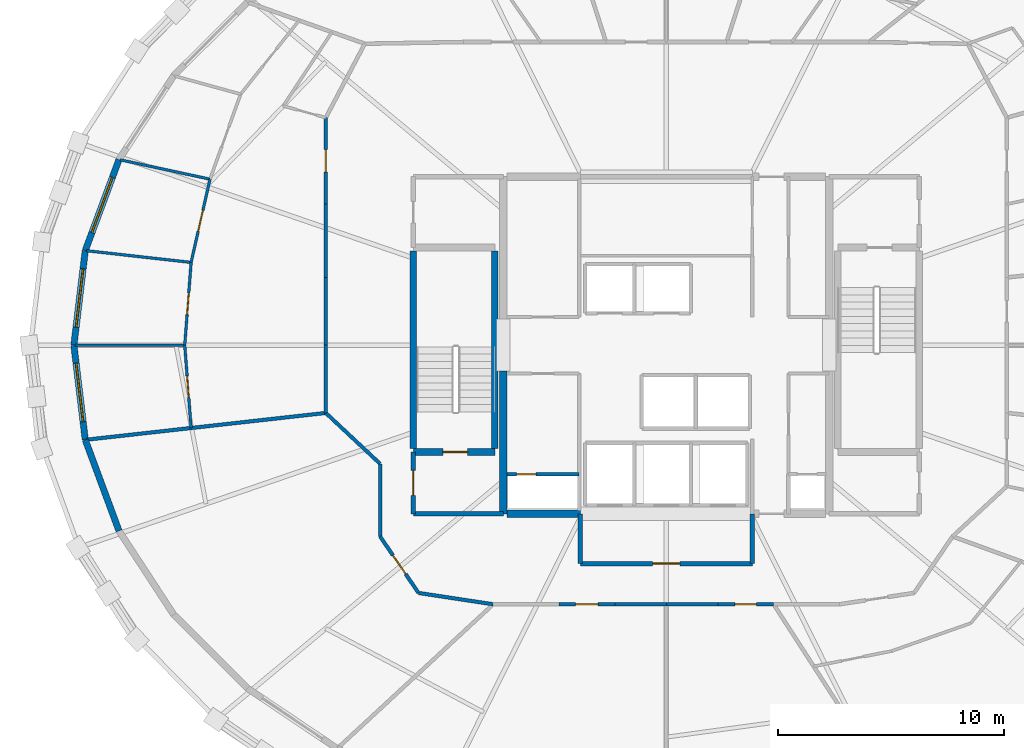
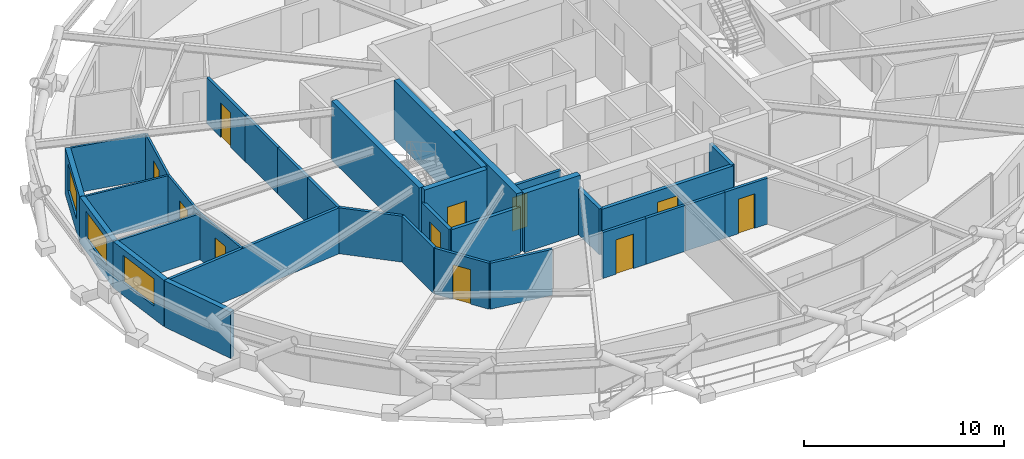
# One storey, part 14 of 19: 34 walls, 11 doors, 3 windows, 14 openings.
"""IFC4 building model written with IfcOpenShell, lengths in metres."""

from ifc_helpers import new_model, si_unit, direction, frame, frame_2d, origin, place, context, subcontext, project, spatial, rectangle, extrude, material, layer, layer_set, type_object, element, fill, save


model = new_model("IFC4")

# Units and contexts
model_context = context("Model", 3, precision=1e-05, world=origin(), true_north=direction((0.0, 1.0)))
body_context = subcontext(model_context, "Body", "Model", "MODEL_VIEW")
ifc_project = project(units=[si_unit("LENGTHUNIT", "METRE"), si_unit("AREAUNIT", "SQUARE_METRE"), si_unit("VOLUMEUNIT", "CUBIC_METRE"), si_unit("PLANEANGLEUNIT", "RADIAN"), si_unit("MASSUNIT", "GRAM", prefix="KILO")], contexts=[model_context])

# Site, building, storey
site_placement = place(None, origin())
site = spatial("IfcSite", under=ifc_project, at=site_placement, CompositionType="ELEMENT")
building_placement = place(site_placement, origin())
building = spatial("IfcBuilding", under=site, at=building_placement, Name="Veldorina Hangang Commons", CompositionType="ELEMENT")
storey_placement = place(building_placement, frame((0.0, 0.0, 164.0)))
storey = spatial("IfcBuildingStorey", under=building, at=storey_placement, Name="L42", CompositionType="ELEMENT", Elevation=164.0)

# Walls
ifc_material_1 = material(Name="Concrete C60/75", Category="concrete")
ifc_layer_1 = layer(ifc_material_1, 0.340087890625)
ifc_layer_set_1 = layer_set([ifc_layer_1], Name="Concrete C60/75")
wall_type_1 = type_object("IfcWallType", Name="CW-RC340-C60", PredefinedType="SHEAR", material=ifc_layer_set_1)
wall_1_placement = place(storey_placement, frame((24.800048828125, 16.550048828125, 0.0), z_axis=(0.0, 0.0, 1.0), x_axis=(0.0, 1.0, 0.0)))
element("IfcWall", 1, at=wall_1_placement, inside=storey, type_object=wall_type_1, Name="L42 W south core shear wall", PredefinedType="SHEAR", context=body_context, shape_type="SweptSolid", body=[
    extrude(rectangle(XDim=6.300048828125, YDim=0.340087890625, at=frame_2d((3.14990234375, 0.0))), origin(), (0.0, 0.0, 1.0), 3.60009765625),
])
wall_2_placement = place(storey_placement, frame((24.969970703125, 16.550048828125, 0.0), z_axis=(0.0, 0.0, 1.0), x_axis=(1.0, 0.0, 0.0)))
element("IfcWall", 2, at=wall_2_placement, inside=storey, type_object=wall_type_1, Name="L42 south-west core shear wall", PredefinedType="SHEAR", context=body_context, shape_type="SweptSolid", body=[
    extrude(rectangle(XDim=3.22998046875, YDim=0.340087890625, at=frame_2d((1.614990234375, 0.0))), origin(), (0.0, 0.0, 1.0), 3.60009765625),
])

# Wall, opening, window
ifc_material_2 = material(Name="Stone Roman Travertine", Category="masonry")
ifc_layer_2 = layer(ifc_material_2, 0.280029296875)
ifc_layer_set_2 = layer_set([ifc_layer_2], Name="Stone Roman Travertine")
wall_type_2 = type_object("IfcWallType", Name="EW-TRAV-280", PredefinedType="STANDARD", material=ifc_layer_set_2)
wall_3_placement = place(storey_placement, frame((7.810791015625, 32.20458984375, 0.0), z_axis=(0.0, 0.0, 1.0), x_axis=(-0.347390364115, -0.937720606002, 0.0)))
wall_3 = element("IfcWall", 3, at=wall_3_placement, inside=storey, type_object=wall_type_2, Name="L42 travertine facade wall 14", PredefinedType="STANDARD", context=body_context, shape_type="SweptSolid", body=[
    extrude(rectangle(XDim=4.2890625, YDim=0.280029296875, at=frame_2d((2.14453125, 0.0))), origin(), (0.0, 0.0, 1.0), 2.820068359375),
])
opening_1_placement = place(wall_3_placement, frame((0.844482421875, 0.0, 0.800048828125)))
opening_1 = element("IfcOpeningElement", 4, at=opening_1_placement, cuts=wall_3, Name="Opening W-02", PredefinedType="OPENING", context=body_context, shape_type="SweptSolid", body=[
    extrude(rectangle(XDim=2.60009765625, YDim=1.64990234375, at=frame_2d((1.300048828125, 0.824951171875))), frame((0.0, 0.14990234375, 0.0), z_axis=(0.0, -1.0, 0.0), x_axis=(1.0, 0.0, 0.0)), (0.0, 0.0, 1.0), 0.300048828125),
])
ifc_material_3 = material(Name="Glass Low-E Triple IGU", Category="glass")
window_type = type_object("IfcWindowType", Name="WIN-TWR-2600", PartitioningType="SINGLE_PANEL", PredefinedType="WINDOW", material=ifc_material_3)
window_1_placement = place(opening_1_placement, origin())
window_1 = element("IfcWindow", 5, at=window_1_placement, inside=storey, type_object=window_type, Name="L42 facade window 14", OverallHeight=1.64990234375, OverallWidth=2.60009765625, PartitioningType="SINGLE_PANEL", PredefinedType="WINDOW", context=body_context, shape_type="SweptSolid", body=[
    extrude(rectangle(XDim=2.60009765625, YDim=1.64990234375, at=frame_2d((1.300048828125, 0.824951171875))), frame((0.0, 0.030029296875, 0.0), z_axis=(0.0, -1.0, 0.0), x_axis=(1.0, 0.0, 0.0)), (0.0, 0.0, 1.0), 0.06005859375),
])
fill(opening_1, window_1)

wall_4_placement = place(storey_placement, frame((6.32080078125, 28.1826171875, 0.0), z_axis=(0.0, 0.0, 1.0), x_axis=(-0.119382878751, -0.992848290657, 0.0)))
wall_4 = element("IfcWall", 6, at=wall_4_placement, inside=storey, type_object=wall_type_2, Name="L42 travertine facade wall 15", PredefinedType="STANDARD", context=body_context, shape_type="SweptSolid", body=[
    extrude(rectangle(XDim=4.212646484375, YDim=0.280029296875, at=frame_2d((2.1064453125, 0.0))), origin(), (0.0, 0.0, 1.0), 2.820068359375),
])
opening_2_placement = place(wall_4_placement, frame((0.806396484375, 0.0, 0.800048828125)))
opening_2 = element("IfcOpeningElement", 7, at=opening_2_placement, cuts=wall_4, Name="Opening W-02", PredefinedType="OPENING", context=body_context, shape_type="SweptSolid", body=[
    extrude(rectangle(XDim=2.60009765625, YDim=1.64990234375, at=frame_2d((1.300048828125, 0.824951171875))), frame((0.0, 0.14990234375, 0.0), z_axis=(0.0, -1.0, 0.0), x_axis=(1.0, 0.0, 0.0)), (0.0, 0.0, 1.0), 0.300048828125),
])
window_2_placement = place(opening_2_placement, origin())
window_2 = element("IfcWindow", 8, at=window_2_placement, inside=storey, type_object=window_type, Name="L42 facade window 15", OverallHeight=1.64990234375, OverallWidth=2.60009765625, PartitioningType="SINGLE_PANEL", PredefinedType="WINDOW", context=body_context, shape_type="SweptSolid", body=[
    extrude(rectangle(XDim=2.60009765625, YDim=1.64990234375, at=frame_2d((1.300048828125, 0.824951171875))), frame((0.0, 0.030029296875, 0.0), z_axis=(0.0, -1.0, 0.0), x_axis=(1.0, 0.0, 0.0)), (0.0, 0.0, 1.0), 0.06005859375),
])
fill(opening_2, window_2)

wall_5_placement = place(storey_placement, frame((5.81787109375, 24.0, 0.0), z_axis=(0.0, 0.0, 1.0), x_axis=(0.119382878751, -0.992848290657, 0.0)))
wall_5 = element("IfcWall", 9, at=wall_5_placement, inside=storey, type_object=wall_type_2, Name="L42 travertine facade wall 16", PredefinedType="STANDARD", context=body_context, shape_type="SweptSolid", body=[
    extrude(rectangle(XDim=4.212646484375, YDim=0.280029296875, at=frame_2d((2.1064453125, 0.0))), origin(), (0.0, 0.0, 1.0), 2.820068359375),
])
opening_3_placement = place(wall_5_placement, frame((0.806396484375, 0.0, 0.800048828125)))
opening_3 = element("IfcOpeningElement", 10, at=opening_3_placement, cuts=wall_5, Name="Opening W-02", PredefinedType="OPENING", context=body_context, shape_type="SweptSolid", body=[
    extrude(rectangle(XDim=2.60009765625, YDim=1.64990234375, at=frame_2d((1.300048828125, 0.824951171875))), frame((0.0, 0.14990234375, 0.0), z_axis=(0.0, -1.0, 0.0), x_axis=(1.0, 0.0, 0.0)), (0.0, 0.0, 1.0), 0.300048828125),
])
window_3_placement = place(opening_3_placement, origin())
window_3 = element("IfcWindow", 11, at=window_3_placement, inside=storey, type_object=window_type, Name="L42 facade window 16", OverallHeight=1.64990234375, OverallWidth=2.60009765625, PartitioningType="SINGLE_PANEL", PredefinedType="WINDOW", context=body_context, shape_type="SweptSolid", body=[
    extrude(rectangle(XDim=2.60009765625, YDim=1.64990234375, at=frame_2d((1.300048828125, 0.824951171875))), frame((0.0, 0.030029296875, 0.0), z_axis=(0.0, -1.0, 0.0), x_axis=(1.0, 0.0, 0.0)), (0.0, 0.0, 1.0), 0.06005859375),
])
fill(opening_3, window_3)

# Walls
wall_6_placement = place(storey_placement, frame((6.32080078125, 19.8173828125, 0.0), z_axis=(0.0, 0.0, 1.0), x_axis=(0.347390364115, -0.937720606002, 0.0)))
element("IfcWall", 12, at=wall_6_placement, inside=storey, type_object=wall_type_2, Name="L42 travertine facade wall 17", PredefinedType="STANDARD", context=body_context, shape_type="SweptSolid", body=[
    extrude(rectangle(XDim=4.2890625, YDim=0.280029296875, at=frame_2d((2.14453125, 0.0))), origin(), (0.0, 0.0, 1.0), 2.820068359375),
])
ifc_material_4 = material(Name="Concrete C50/60", Category="concrete")
ifc_layer_3 = layer(ifc_material_4, 0.300048828125)
ifc_layer_set_3 = layer_set([ifc_layer_3], Name="Concrete C50/60")
wall_type_3 = type_object("IfcWallType", Name="SW-STAIR-300", PredefinedType="SHEAR", material=ifc_layer_set_3)
for number, where, z_axis, x_axis, name in (
    (13, (20.820068359375, 19.429931640625, 0.0), (0.0, 0.0, 1.0), (0.0, 1.0, 0.0), "L42 ST1 outer stair shear wall"),
    (14, (24.419921875, 19.429931640625, 0.0), (0.0, 0.0, 1.0), (0.0, 1.0, 0.0), "L42 ST1 inner stair shear wall"),
):
    element("IfcWall", number, at=place(storey_placement, frame(where, z_axis=z_axis, x_axis=x_axis)), inside=storey, type_object=wall_type_3, Name=name, PredefinedType="SHEAR", context=body_context, shape_type="SweptSolid", body=[
        extrude(rectangle(XDim=8.739990234375, YDim=0.300048828125, at=frame_2d((4.3701171875, 0.0))), origin(), (0.0, 0.0, 1.0), 3.60009765625),
    ])

# Wall, opening, door
wall_7_placement = place(storey_placement, frame((20.820068359375, 19.280029296875, 0.0), z_axis=(0.0, 0.0, 1.0), x_axis=(1.0, 0.0, 0.0)))
wall_7 = element("IfcWall", 15, at=wall_7_placement, inside=storey, type_object=wall_type_3, Name="L42 ST1 south stair shear wall", PredefinedType="SHEAR", context=body_context, shape_type="SweptSolid", body=[
    extrude(rectangle(XDim=3.599853515625, YDim=0.300048828125, at=frame_2d((1.7998046875, 0.0))), origin(), (0.0, 0.0, 1.0), 3.60009765625),
])
opening_4_placement = place(wall_7_placement, frame((1.300048828125, 0.0, 0.0)))
opening_4 = element("IfcOpeningElement", 16, at=opening_4_placement, cuts=wall_7, Name="Opening D-08", PredefinedType="OPENING", context=body_context, shape_type="SweptSolid", body=[
    extrude(rectangle(XDim=1.10009765625, YDim=2.10009765625, at=frame_2d((0.550048828125, 1.050048828125))), frame((0.0, 0.16015625, 0.0), z_axis=(0.0, -1.0, 0.0), x_axis=(1.0, 0.0, 0.0)), (0.0, 0.0, 1.0), 0.320068359375),
])
ifc_material_5 = material(Name="Steel Fire-Rated Smoke Seal", Category="steel")
door_type_1 = type_object("IfcDoorType", Name="DR-FIRE-1100", OperationType="SINGLE_SWING_RIGHT", PredefinedType="DOOR", material=ifc_material_5)
door_1_placement = place(opening_4_placement, origin())
door_1 = element("IfcDoor", 17, at=door_1_placement, inside=storey, type_object=door_type_1, Name="L42 Special Escape Stair ST-1 door", OperationType="SINGLE_SWING_LEFT", OverallHeight=2.10009765625, OverallWidth=1.10009765625, PredefinedType="DOOR", context=body_context, shape_type="SweptSolid", body=[
    extrude(rectangle(XDim=1.10009765625, YDim=2.10009765625, at=frame_2d((0.550048828125, 1.050048828125))), frame((0.0, 0.02490234375, 0.0), z_axis=(0.0, -1.0, 0.0), x_axis=(1.0, 0.0, 0.0)), (0.0, 0.0, 1.0), 0.050048828125),
])
fill(opening_4, door_1)

ifc_material_6 = material(Name="Gypsum Fire-Rated Twin Stud Wall", Category="gypsum")
ifc_layer_4 = layer(ifc_material_6, 0.159912109375)
ifc_layer_set_4 = layer_set([ifc_layer_4], Name="Gypsum Fire-Rated Twin Stud Wall")
wall_type_4 = type_object("IfcWallType", Name="WL-FIRE-160", PredefinedType="SOLIDWALL", material=ifc_layer_set_4)
wall_8_placement = place(storey_placement, frame((24.949951171875, 18.300048828125, 0.0), z_axis=(0.0, 0.0, 1.0), x_axis=(1.0, 0.0, 0.0)))
wall_8 = element("IfcWall", 18, at=wall_8_placement, inside=storey, type_object=wall_type_4, Name="L42 Electrical riser wall 034", PredefinedType="SOLIDWALL", context=body_context, shape_type="SweptSolid", body=[
    extrude(rectangle(XDim=3.199951171875, YDim=0.159912109375, at=frame_2d((1.60009765625, 0.0))), origin(), (0.0, 0.0, 1.0), 2.800048828125),
])
opening_5_placement = place(wall_8_placement, frame((0.43994140625, 0.0, 0.0)))
opening_5 = element("IfcOpeningElement", 19, at=opening_5_placement, cuts=wall_8, Name="Opening D-12", PredefinedType="OPENING", context=body_context, shape_type="SweptSolid", body=[
    extrude(rectangle(XDim=0.860107421875, YDim=2.050048828125, at=frame_2d((0.43017578125, 1.02490234375))), frame((0.0, 0.08984375, 0.0), z_axis=(0.0, -1.0, 0.0), x_axis=(1.0, 0.0, 0.0)), (0.0, 0.0, 1.0), 0.179931640625),
])
ifc_material_7 = material(Name="Steel Insulated Riser Access", Category="steel")
door_type_2 = type_object("IfcDoorType", Name="DR-TRAP-860", OperationType="SINGLE_SWING_LEFT", PredefinedType="TRAPDOOR", material=ifc_material_7)
door_2_placement = place(opening_5_placement, origin())
door_2 = element("IfcDoor", 20, at=door_2_placement, inside=storey, type_object=door_type_2, Name="L42 Electrical riser access door 012", OperationType="SINGLE_SWING_RIGHT", OverallHeight=2.050048828125, OverallWidth=0.860107421875, PredefinedType="TRAPDOOR", context=body_context, shape_type="SweptSolid", body=[
    extrude(rectangle(XDim=0.860107421875, YDim=2.050048828125, at=frame_2d((0.43017578125, 1.02490234375))), frame((0.0, 0.02490234375, 0.0), z_axis=(0.0, -1.0, 0.0), x_axis=(1.0, 0.0, 0.0)), (0.0, 0.0, 1.0), 0.050048828125),
])
fill(opening_5, door_2)

wall_9_placement = place(storey_placement, frame((16.949951171875, 34.05615234375, 0.0), z_axis=(0.0, 0.0, 1.0), x_axis=(0.0, -1.0, 0.0)))
wall_9 = element("IfcWall", 21, at=wall_9_placement, inside=storey, type_object=wall_type_4, Name="L42 U-corridor outer wall 13 057", PredefinedType="SOLIDWALL", context=body_context, shape_type="SweptSolid", body=[
    extrude(rectangle(XDim=3.822265625, YDim=0.159912109375, at=frame_2d((1.9111328125, 0.0))), origin(), (0.0, 0.0, 1.0), 2.800048828125),
])
opening_6_placement = place(wall_9_placement, frame((1.4111328125, 0.0, 0.0)))
opening_6 = element("IfcOpeningElement", 22, at=opening_6_placement, cuts=wall_9, Name="Opening D-06", PredefinedType="OPENING", context=body_context, shape_type="SweptSolid", body=[
    extrude(rectangle(XDim=1.0, YDim=2.10009765625, at=frame_2d((0.5, 1.050048828125))), frame((0.0, 0.08984375, 0.0), z_axis=(0.0, -1.0, 0.0), x_axis=(1.0, 0.0, 0.0)), (0.0, 0.0, 1.0), 0.179931640625),
])
ifc_material_8 = material(Name="Timber Fire-Rated Entrance Core", Category="wood")
door_type_3 = type_object("IfcDoorType", Name="DR-UNIT-1000", OperationType="SINGLE_SWING_LEFT", PredefinedType="DOOR", material=ifc_material_8)
door_3_placement = place(opening_6_placement, origin())
door_3 = element("IfcDoor", 23, at=door_3_placement, inside=storey, type_object=door_type_3, Name="L42 Cluster 9 entrance door 035", OperationType="SINGLE_SWING_LEFT", OverallHeight=2.10009765625, OverallWidth=1.0, PredefinedType="DOOR", context=body_context, shape_type="SweptSolid", body=[
    extrude(rectangle(XDim=1.0, YDim=2.10009765625, at=frame_2d((0.5, 1.050048828125))), frame((0.0, 0.02490234375, 0.0), z_axis=(0.0, -1.0, 0.0), x_axis=(1.0, 0.0, 0.0)), (0.0, 0.0, 1.0), 0.050048828125),
])
fill(opening_6, door_3)

# Walls
wall_10_placement = place(storey_placement, frame((16.949951171875, 30.23388671875, 0.0), z_axis=(0.0, 0.0, 1.0), x_axis=(0.0, -1.0, 0.0)))
element("IfcWall", 24, at=wall_10_placement, inside=storey, type_object=wall_type_4, Name="L42 U-corridor outer wall 14 058", PredefinedType="SOLIDWALL", context=body_context, shape_type="SweptSolid", body=[
    extrude(rectangle(XDim=3.240234375, YDim=0.159912109375, at=frame_2d((1.6201171875, 0.0))), origin(), (0.0, 0.0, 1.0), 2.800048828125),
])
for number, where, z_axis, x_axis, name in (
    (25, (16.949951171875, 26.99365234375, 0.0), (0.0, 0.0, 1.0), (0.0, -1.0, 0.0), "L42 U-corridor outer wall 15 059"),
    (26, (16.949951171875, 24.0, 0.0), (0.0, 0.0, 1.0), (0.0, -1.0, 0.0), "L42 U-corridor outer wall 16 060"),
):
    element("IfcWall", number, at=place(storey_placement, frame(where, z_axis=z_axis, x_axis=x_axis)), inside=storey, type_object=wall_type_4, Name=name, PredefinedType="SOLIDWALL", context=body_context, shape_type="SweptSolid", body=[
        extrude(rectangle(XDim=2.99365234375, YDim=0.159912109375, at=frame_2d((1.496826171875, 0.0))), origin(), (0.0, 0.0, 1.0), 2.800048828125),
    ])
wall_11_placement = place(storey_placement, frame((16.949951171875, 21.00634765625, 0.0), z_axis=(0.0, 0.0, 1.0), x_axis=(0.730150682073, -0.683286163674, 0.0)))
element("IfcWall", 27, at=wall_11_placement, inside=storey, type_object=wall_type_4, Name="L42 U-corridor outer wall 17 061", PredefinedType="SOLIDWALL", context=body_context, shape_type="SweptSolid", body=[
    extrude(rectangle(XDim=3.287109375, YDim=0.159912109375, at=frame_2d((1.6435546875, 0.0))), origin(), (0.0, 0.0, 1.0), 2.800048828125),
])
wall_12_placement = place(storey_placement, frame((19.35009765625, 18.76025390625, 0.0), z_axis=(0.0, 0.0, 1.0), x_axis=(0.0, -1.0, 0.0)))
element("IfcWall", 28, at=wall_12_placement, inside=storey, type_object=wall_type_4, Name="L42 U-corridor outer wall 18 062", PredefinedType="SOLIDWALL", context=body_context, shape_type="SweptSolid", body=[
    extrude(rectangle(XDim=3.212646484375, YDim=0.159912109375, at=frame_2d((1.6064453125, 0.0))), origin(), (0.0, 0.0, 1.0), 2.800048828125),
])

# Wall, opening, door
wall_13_placement = place(storey_placement, frame((19.35009765625, 15.547607421875, 0.0), z_axis=(0.0, 0.0, 1.0), x_axis=(0.562674669208, -0.826678423955, 0.0)))
wall_13 = element("IfcWall", 29, at=wall_13_placement, inside=storey, type_object=wall_type_4, Name="L42 U-corridor outer wall 19 063", PredefinedType="SOLIDWALL", context=body_context, shape_type="SweptSolid", body=[
    extrude(rectangle(XDim=3.021240234375, YDim=0.159912109375, at=frame_2d((1.5107421875, 0.0))), origin(), (0.0, 0.0, 1.0), 2.800048828125),
])
opening_7_placement = place(wall_13_placement, frame((1.010498046875, 0.0, 0.0)))
opening_7 = element("IfcOpeningElement", 30, at=opening_7_placement, cuts=wall_13, Name="Opening D-05", PredefinedType="OPENING", context=body_context, shape_type="SweptSolid", body=[
    extrude(rectangle(XDim=1.0, YDim=2.10009765625, at=frame_2d((0.5, 1.050048828125))), frame((0.0, 0.08984375, 0.0), z_axis=(0.0, -1.0, 0.0), x_axis=(1.0, 0.0, 0.0)), (0.0, 0.0, 1.0), 0.179931640625),
])
ifc_material_9 = material(Name="Timber Solid Core Acoustic", Category="wood")
door_type_4 = type_object("IfcDoorType", Name="DR-INT-1000", OperationType="SINGLE_SWING_RIGHT", PredefinedType="DOOR", material=ifc_material_9)
door_4_placement = place(opening_7_placement, origin())
door_4 = element("IfcDoor", 31, at=door_4_placement, inside=storey, type_object=door_type_4, Name="L42 Floor Study Room 10 door 041", OperationType="SINGLE_SWING_LEFT", OverallHeight=2.10009765625, OverallWidth=1.0, PredefinedType="DOOR", context=body_context, shape_type="SweptSolid", body=[
    extrude(rectangle(XDim=1.0, YDim=2.10009765625, at=frame_2d((0.5, 1.050048828125))), frame((0.0, 0.02490234375, 0.0), z_axis=(0.0, -1.0, 0.0), x_axis=(1.0, 0.0, 0.0)), (0.0, 0.0, 1.0), 0.050048828125),
])
fill(opening_7, door_4)

# Wall
wall_14_placement = place(storey_placement, frame((21.050048828125, 13.050048828125, 0.0), z_axis=(0.0, 0.0, 1.0), x_axis=(0.988710906508, -0.149835721217, 0.0)))
element("IfcWall", 32, at=wall_14_placement, inside=storey, type_object=wall_type_4, Name="L42 U-corridor outer wall 20 064", PredefinedType="SOLIDWALL", context=body_context, shape_type="SweptSolid", body=[
    extrude(rectangle(XDim=3.3369140625, YDim=0.159912109375, at=frame_2d((1.66845703125, 0.0))), origin(), (0.0, 0.0, 1.0), 2.800048828125),
])

# Wall, opening, door
wall_15_placement = place(storey_placement, frame((27.25732421875, 12.550048828125, 0.0), z_axis=(0.0, 0.0, 1.0), x_axis=(1.0, 0.0, 0.0)))
wall_15 = element("IfcWall", 33, at=wall_15_placement, inside=storey, type_object=wall_type_4, Name="L42 U-corridor outer wall 22 066", PredefinedType="SOLIDWALL", context=body_context, shape_type="SweptSolid", body=[
    extrude(rectangle(XDim=2.465087890625, YDim=0.159912109375, at=frame_2d((1.232421875, 0.0))), origin(), (0.0, 0.0, 1.0), 2.800048828125),
])
opening_8_placement = place(wall_15_placement, frame((0.732666015625, 0.0, 0.0)))
opening_8 = element("IfcOpeningElement", 34, at=opening_8_placement, cuts=wall_15, Name="Opening D-05", PredefinedType="OPENING", context=body_context, shape_type="SweptSolid", body=[
    extrude(rectangle(XDim=1.0, YDim=2.10009765625, at=frame_2d((0.5, 1.050048828125))), frame((0.0, 0.08984375, 0.0), z_axis=(0.0, -1.0, 0.0), x_axis=(1.0, 0.0, 0.0)), (0.0, 0.0, 1.0), 0.179931640625),
])
door_5_placement = place(opening_8_placement, origin())
door_5 = element("IfcDoor", 35, at=door_5_placement, inside=storey, type_object=door_type_4, Name="L42 Seminar Focus Room 11 door 042", OperationType="SINGLE_SWING_RIGHT", OverallHeight=2.10009765625, OverallWidth=1.0, PredefinedType="DOOR", context=body_context, shape_type="SweptSolid", body=[
    extrude(rectangle(XDim=1.0, YDim=2.10009765625, at=frame_2d((0.5, 1.050048828125))), frame((0.0, 0.02490234375, 0.0), z_axis=(0.0, -1.0, 0.0), x_axis=(1.0, 0.0, 0.0)), (0.0, 0.0, 1.0), 0.050048828125),
])
fill(opening_8, door_5)

# Walls
for number, where, z_axis, x_axis, name in (
    (36, (29.722412109375, 12.550048828125, 0.0), (0.0, 0.0, 1.0), (1.0, 0.0, 0.0), "L42 U-corridor outer wall 23 067"),
    (37, (32.0, 12.550048828125, 0.0), (0.0, 0.0, 1.0), (1.0, 0.0, 0.0), "L42 U-corridor outer wall 24 068"),
):
    element("IfcWall", number, at=place(storey_placement, frame(where, z_axis=z_axis, x_axis=x_axis)), inside=storey, type_object=wall_type_4, Name=name, PredefinedType="SOLIDWALL", context=body_context, shape_type="SweptSolid", body=[
        extrude(rectangle(XDim=2.277587890625, YDim=0.159912109375, at=frame_2d((1.138671875, 0.0))), origin(), (0.0, 0.0, 1.0), 2.800048828125),
    ])

# Wall, opening, door
wall_16_placement = place(storey_placement, frame((34.277587890625, 12.550048828125, 0.0), z_axis=(0.0, 0.0, 1.0), x_axis=(1.0, 0.0, 0.0)))
wall_16 = element("IfcWall", 38, at=wall_16_placement, inside=storey, type_object=wall_type_4, Name="L42 U-corridor outer wall 25 069", PredefinedType="SOLIDWALL", context=body_context, shape_type="SweptSolid", body=[
    extrude(rectangle(XDim=2.465087890625, YDim=0.159912109375, at=frame_2d((1.232421875, 0.0))), origin(), (0.0, 0.0, 1.0), 2.800048828125),
])
opening_9_placement = place(wall_16_placement, frame((0.757568359375, 0.0, 0.0)))
opening_9 = element("IfcOpeningElement", 39, at=opening_9_placement, cuts=wall_16, Name="Opening D-02", PredefinedType="OPENING", context=body_context, shape_type="SweptSolid", body=[
    extrude(rectangle(XDim=0.949951171875, YDim=2.10009765625, at=frame_2d((0.47509765625, 1.050048828125))), frame((0.0, 0.08984375, 0.0), z_axis=(0.0, -1.0, 0.0), x_axis=(1.0, 0.0, 0.0)), (0.0, 0.0, 1.0), 0.179931640625),
])
door_type_5 = type_object("IfcDoorType", Name="DR-INT-950", OperationType="SINGLE_SWING_LEFT", PredefinedType="DOOR", material=ifc_material_9)
door_6_placement = place(opening_9_placement, origin())
door_6 = element("IfcDoor", 40, at=door_6_placement, inside=storey, type_object=door_type_5, Name="L42 Linen drying store door 043", OperationType="SINGLE_SWING_LEFT", OverallHeight=2.10009765625, OverallWidth=0.949951171875, PredefinedType="DOOR", context=body_context, shape_type="SweptSolid", body=[
    extrude(rectangle(XDim=0.949951171875, YDim=2.10009765625, at=frame_2d((0.47509765625, 1.050048828125))), frame((0.0, 0.02490234375, 0.0), z_axis=(0.0, -1.0, 0.0), x_axis=(1.0, 0.0, 0.0)), (0.0, 0.0, 1.0), 0.050048828125),
])
fill(opening_9, door_6)

# Wall
wall_17_placement = place(storey_placement, frame((16.949951171875, 21.00634765625, 0.0), z_axis=(0.0, 0.0, 1.0), x_axis=(-0.993802358281, -0.111161471179, 0.0)))
element("IfcWall", 41, at=wall_17_placement, inside=storey, type_object=wall_type_4, Name="L42 Unit party wall 17 113", PredefinedType="SOLIDWALL", context=body_context, shape_type="SweptSolid", body=[
    extrude(rectangle(XDim=10.645263671875, YDim=0.159912109375, at=frame_2d((5.32275390625, 0.0))), origin(), (0.0, 0.0, 1.0), 2.800048828125),
])

# Wall, opening, door
ifc_material_10 = material(Name="Concrete Blockwork Fire Wall C30/37", Category="masonry")
ifc_layer_5 = layer(ifc_material_10, 0.199951171875)
ifc_layer_set_5 = layer_set([ifc_layer_5], Name="Concrete Blockwork Fire Wall C30/37")
wall_type_5 = type_object("IfcWallType", Name="WL-FIRE-200", PredefinedType="SOLIDWALL", material=ifc_layer_set_5)
wall_18_placement = place(storey_placement, frame((20.820068359375, 16.550048828125, 0.0), z_axis=(0.0, 0.0, 1.0), x_axis=(0.0, 1.0, 0.0)))
wall_18 = element("IfcWall", 42, at=wall_18_placement, inside=storey, type_object=wall_type_5, Name="L42 West vestibule outer wall 001", PredefinedType="SOLIDWALL", context=body_context, shape_type="SweptSolid", body=[
    extrude(rectangle(XDim=2.72998046875, YDim=0.199951171875, at=frame_2d((1.364990234375, 0.0))), origin(), (0.0, 0.0, 1.0), 2.800048828125),
])
opening_10_placement = place(wall_18_placement, frame((0.81494140625, 0.0, 0.0)))
opening_10 = element("IfcOpeningElement", 43, at=opening_10_placement, cuts=wall_18, Name="Opening D-08", PredefinedType="OPENING", context=body_context, shape_type="SweptSolid", body=[
    extrude(rectangle(XDim=1.10009765625, YDim=2.10009765625, at=frame_2d((0.550048828125, 1.050048828125))), frame((0.0, 0.10986328125, 0.0), z_axis=(0.0, -1.0, 0.0), x_axis=(1.0, 0.0, 0.0)), (0.0, 0.0, 1.0), 0.219970703125),
])
door_7_placement = place(opening_10_placement, origin())
door_7 = element("IfcDoor", 44, at=door_7_placement, inside=storey, type_object=door_type_1, Name="L42 West vestibule west door 001", OperationType="SINGLE_SWING_LEFT", OverallHeight=2.10009765625, OverallWidth=1.10009765625, PredefinedType="DOOR", context=body_context, shape_type="SweptSolid", body=[
    extrude(rectangle(XDim=1.10009765625, YDim=2.10009765625, at=frame_2d((0.550048828125, 1.050048828125))), frame((0.0, 0.02490234375, 0.0), z_axis=(0.0, -1.0, 0.0), x_axis=(1.0, 0.0, 0.0)), (0.0, 0.0, 1.0), 0.050048828125),
])
fill(opening_10, door_7)

# Walls
wall_19_placement = place(storey_placement, frame((20.820068359375, 16.550048828125, 0.0), z_axis=(0.0, 0.0, 1.0), x_axis=(1.0, 0.0, 0.0)))
element("IfcWall", 45, at=wall_19_placement, inside=storey, type_object=wall_type_5, Name="L42 West vestibule south wall 002", PredefinedType="SOLIDWALL", context=body_context, shape_type="SweptSolid", body=[
    extrude(rectangle(XDim=3.97998046875, YDim=0.199951171875, at=frame_2d((1.989990234375, 0.0))), origin(), (0.0, 0.0, 1.0), 2.800048828125),
])
for number, where, z_axis, x_axis, name in (
    (46, (28.199951171875, 14.35009765625, 0.0), (0.0, 0.0, 1.0), (0.0, 1.0, 0.0), "L42 FF lobby west wall 012"),
    (47, (35.800048828125, 14.35009765625, 0.0), (0.0, 0.0, 1.0), (0.0, 1.0, 0.0), "L42 FF lobby east wall 013"),
):
    element("IfcWall", number, at=place(storey_placement, frame(where, z_axis=z_axis, x_axis=x_axis)), inside=storey, type_object=wall_type_5, Name=name, PredefinedType="SOLIDWALL", context=body_context, shape_type="SweptSolid", body=[
        extrude(rectangle(XDim=2.199951171875, YDim=0.199951171875, at=frame_2d((1.10009765625, 0.0))), origin(), (0.0, 0.0, 1.0), 2.800048828125),
    ])

# Wall, opening, door
wall_20_placement = place(storey_placement, frame((28.199951171875, 14.35009765625, 0.0), z_axis=(0.0, 0.0, 1.0), x_axis=(1.0, 0.0, 0.0)))
wall_20 = element("IfcWall", 48, at=wall_20_placement, inside=storey, type_object=wall_type_5, Name="L42 FF lobby south wall 014", PredefinedType="SOLIDWALL", context=body_context, shape_type="SweptSolid", body=[
    extrude(rectangle(XDim=7.60009765625, YDim=0.199951171875, at=frame_2d((3.800048828125, 0.0))), origin(), (0.0, 0.0, 1.0), 2.800048828125),
])
opening_11_placement = place(wall_20_placement, frame((3.199951171875, 0.0, 0.0)))
opening_11 = element("IfcOpeningElement", 49, at=opening_11_placement, cuts=wall_20, Name="Opening D-09", PredefinedType="OPENING", context=body_context, shape_type="SweptSolid", body=[
    extrude(rectangle(XDim=1.199951171875, YDim=2.10009765625, at=frame_2d((0.60009765625, 1.050048828125))), frame((0.0, 0.10986328125, 0.0), z_axis=(0.0, -1.0, 0.0), x_axis=(1.0, 0.0, 0.0)), (0.0, 0.0, 1.0), 0.219970703125),
])
ifc_material_11 = material(Name="Steel Fire-Rated Corridor Door", Category="steel")
door_type_6 = type_object("IfcDoorType", Name="DR-FIRE-1200", OperationType="SINGLE_SWING_LEFT", PredefinedType="DOOR", material=ifc_material_11)
door_8_placement = place(opening_11_placement, origin())
door_8 = element("IfcDoor", 50, at=door_8_placement, inside=storey, type_object=door_type_6, Name="L42 FF lobby south corridor door 005", OperationType="SINGLE_SWING_LEFT", OverallHeight=2.10009765625, OverallWidth=1.199951171875, PredefinedType="DOOR", context=body_context, shape_type="SweptSolid", body=[
    extrude(rectangle(XDim=1.199951171875, YDim=2.10009765625, at=frame_2d((0.60009765625, 1.050048828125))), frame((0.0, 0.02490234375, 0.0), z_axis=(0.0, -1.0, 0.0), x_axis=(1.0, 0.0, 0.0)), (0.0, 0.0, 1.0), 0.050048828125),
])
fill(opening_11, door_8)

ifc_material_12 = material(Name="Gypsum Acoustic Stud Partition", Category="gypsum")
ifc_layer_6 = layer(ifc_material_12, 0.1201171875)
ifc_layer_set_6 = layer_set([ifc_layer_6], Name="Gypsum Acoustic Stud Partition")
wall_type_6 = type_object("IfcWallType", Name="WL-PART-120", PredefinedType="PARTITIONING", material=ifc_layer_set_6)
wall_21_placement = place(storey_placement, frame((11.83203125, 31.33740234375, 0.0), z_axis=(0.0, 0.0, 1.0), x_axis=(-0.221198590076, -0.975228785336, 0.0)))
wall_21 = element("IfcWall", 51, at=wall_21_placement, inside=storey, type_object=wall_type_6, Name="L42 Cluster 9 bed 3 front wall 107", PredefinedType="PARTITIONING", context=body_context, shape_type="SweptSolid", body=[
    extrude(rectangle(XDim=3.771484375, YDim=0.1201171875, at=frame_2d((1.8857421875, 0.0))), origin(), (0.0, 0.0, 1.0), 2.800048828125),
])
opening_12_placement = place(wall_21_placement, frame((1.41064453125, 0.0, 0.0)))
opening_12 = element("IfcOpeningElement", 52, at=opening_12_placement, cuts=wall_21, Name="Opening D-02", PredefinedType="OPENING", context=body_context, shape_type="SweptSolid", body=[
    extrude(rectangle(XDim=0.949951171875, YDim=2.10009765625, at=frame_2d((0.47509765625, 1.050048828125))), frame((0.0, 0.070068359375, 0.0), z_axis=(0.0, -1.0, 0.0), x_axis=(1.0, 0.0, 0.0)), (0.0, 0.0, 1.0), 0.14013671875),
])
door_9_placement = place(opening_12_placement, origin())
door_9 = element("IfcDoor", 53, at=door_9_placement, inside=storey, type_object=door_type_5, Name="L42 Cluster 9 bed 3 door 038", OperationType="SINGLE_SWING_RIGHT", OverallHeight=2.10009765625, OverallWidth=0.949951171875, PredefinedType="DOOR", context=body_context, shape_type="SweptSolid", body=[
    extrude(rectangle(XDim=0.949951171875, YDim=2.10009765625, at=frame_2d((0.47509765625, 1.050048828125))), frame((0.0, 0.02490234375, 0.0), z_axis=(0.0, -1.0, 0.0), x_axis=(1.0, 0.0, 0.0)), (0.0, 0.0, 1.0), 0.050048828125),
])
fill(opening_12, door_9)

# Wall
wall_22_placement = place(storey_placement, frame((11.83203125, 31.33740234375, 0.0), z_axis=(0.0, 0.0, 1.0), x_axis=(-0.977526385001, 0.210813108289, 0.0)))
element("IfcWall", 54, at=wall_22_placement, inside=storey, type_object=wall_type_6, Name="L42 Cluster 9 bed divider 2 108", PredefinedType="PARTITIONING", context=body_context, shape_type="SweptSolid", body=[
    extrude(rectangle(XDim=4.063720703125, YDim=0.1201171875, at=frame_2d((2.03173828125, 0.0))), origin(), (0.0, 0.0, 1.0), 2.800048828125),
])

# Wall, opening, door
wall_23_placement = place(storey_placement, frame((10.997802734375, 27.659423828125, 0.0), z_axis=(0.0, 0.0, 1.0), x_axis=(-0.07676262617, -0.997049396582, 0.0)))
wall_23 = element("IfcWall", 55, at=wall_23_placement, inside=storey, type_object=wall_type_6, Name="L42 Cluster 9 bed 4 front wall 109", PredefinedType="PARTITIONING", context=body_context, shape_type="SweptSolid", body=[
    extrude(rectangle(XDim=3.670166015625, YDim=0.1201171875, at=frame_2d((1.8349609375, 0.0))), origin(), (0.0, 0.0, 1.0), 2.800048828125),
])
opening_13_placement = place(wall_23_placement, frame((1.360107421875, 0.0, 0.0)))
opening_13 = element("IfcOpeningElement", 56, at=opening_13_placement, cuts=wall_23, Name="Opening D-02", PredefinedType="OPENING", context=body_context, shape_type="SweptSolid", body=[
    extrude(rectangle(XDim=0.949951171875, YDim=2.10009765625, at=frame_2d((0.47509765625, 1.050048828125))), frame((0.0, 0.070068359375, 0.0), z_axis=(0.0, -1.0, 0.0), x_axis=(1.0, 0.0, 0.0)), (0.0, 0.0, 1.0), 0.14013671875),
])
door_10_placement = place(opening_13_placement, origin())
door_10 = element("IfcDoor", 57, at=door_10_placement, inside=storey, type_object=door_type_5, Name="L42 Cluster 9 bed 4 door 039", OperationType="SINGLE_SWING_LEFT", OverallHeight=2.10009765625, OverallWidth=0.949951171875, PredefinedType="DOOR", context=body_context, shape_type="SweptSolid", body=[
    extrude(rectangle(XDim=0.949951171875, YDim=2.10009765625, at=frame_2d((0.47509765625, 1.050048828125))), frame((0.0, 0.02490234375, 0.0), z_axis=(0.0, -1.0, 0.0), x_axis=(1.0, 0.0, 0.0)), (0.0, 0.0, 1.0), 0.050048828125),
])
fill(opening_13, door_10)

# Wall
wall_24_placement = place(storey_placement, frame((10.997802734375, 27.659423828125, 0.0), z_axis=(0.0, 0.0, 1.0), x_axis=(-0.993802255483, 0.111162390209, 0.0)))
element("IfcWall", 58, at=wall_24_placement, inside=storey, type_object=wall_type_6, Name="L42 Cluster 9 bed divider 3 110", PredefinedType="PARTITIONING", context=body_context, shape_type="SweptSolid", body=[
    extrude(rectangle(XDim=4.656005859375, YDim=0.1201171875, at=frame_2d((2.328125, 0.0))), origin(), (0.0, 0.0, 1.0), 2.800048828125),
])

# Wall, opening, door
wall_25_placement = place(storey_placement, frame((10.716064453125, 24.0, 0.0), z_axis=(0.0, 0.0, 1.0), x_axis=(0.07676262617, -0.997049396582, 0.0)))
wall_25 = element("IfcWall", 59, at=wall_25_placement, inside=storey, type_object=wall_type_6, Name="L42 Cluster 9 bed 5 front wall 111", PredefinedType="PARTITIONING", context=body_context, shape_type="SweptSolid", body=[
    extrude(rectangle(XDim=3.670166015625, YDim=0.1201171875, at=frame_2d((1.8349609375, 0.0))), origin(), (0.0, 0.0, 1.0), 2.800048828125),
])
opening_14_placement = place(wall_25_placement, frame((1.360107421875, 0.0, 0.0)))
opening_14 = element("IfcOpeningElement", 60, at=opening_14_placement, cuts=wall_25, Name="Opening D-02", PredefinedType="OPENING", context=body_context, shape_type="SweptSolid", body=[
    extrude(rectangle(XDim=0.949951171875, YDim=2.10009765625, at=frame_2d((0.47509765625, 1.050048828125))), frame((0.0, 0.070068359375, 0.0), z_axis=(0.0, -1.0, 0.0), x_axis=(1.0, 0.0, 0.0)), (0.0, 0.0, 1.0), 0.14013671875),
])
door_11_placement = place(opening_14_placement, origin())
door_11 = element("IfcDoor", 61, at=door_11_placement, inside=storey, type_object=door_type_5, Name="L42 Cluster 9 bed 5 door 040", OperationType="SINGLE_SWING_RIGHT", OverallHeight=2.10009765625, OverallWidth=0.949951171875, PredefinedType="DOOR", context=body_context, shape_type="SweptSolid", body=[
    extrude(rectangle(XDim=0.949951171875, YDim=2.10009765625, at=frame_2d((0.47509765625, 1.050048828125))), frame((0.0, 0.02490234375, 0.0), z_axis=(0.0, -1.0, 0.0), x_axis=(1.0, 0.0, 0.0)), (0.0, 0.0, 1.0), 0.050048828125),
])
fill(opening_14, door_11)

# Wall
wall_26_placement = place(storey_placement, frame((10.716064453125, 24.0, 0.0), z_axis=(0.0, 0.0, 1.0), x_axis=(-1.0, 0.0, 0.0)))
element("IfcWall", 62, at=wall_26_placement, inside=storey, type_object=wall_type_6, Name="L42 Cluster 9 bed divider 4 112", PredefinedType="PARTITIONING", context=body_context, shape_type="SweptSolid", body=[
    extrude(rectangle(XDim=4.84814453125, YDim=0.1201171875, at=frame_2d((2.424072265625, 0.0))), origin(), (0.0, 0.0, 1.0), 2.800048828125),
])

save(model, "model.ifc")
